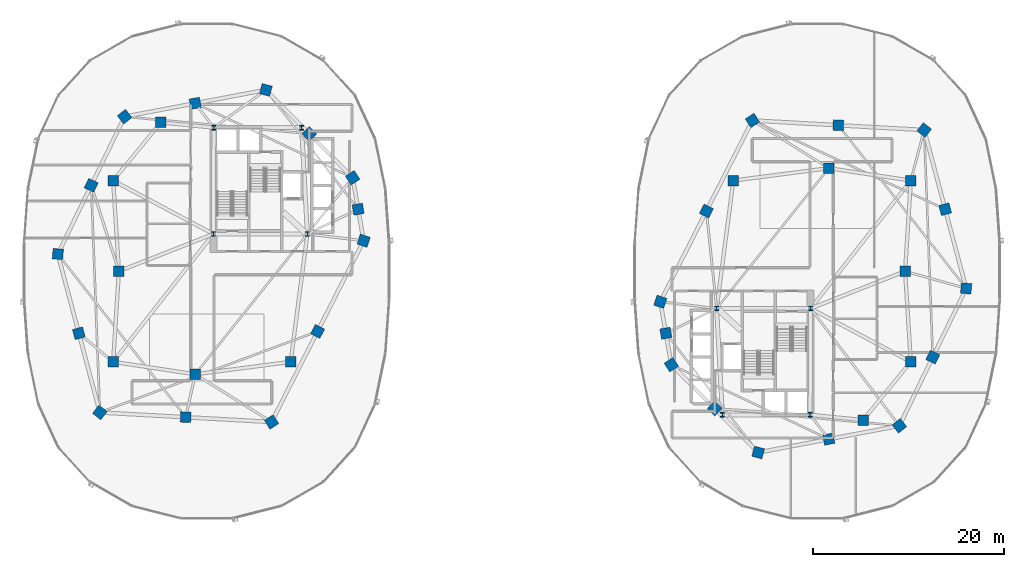
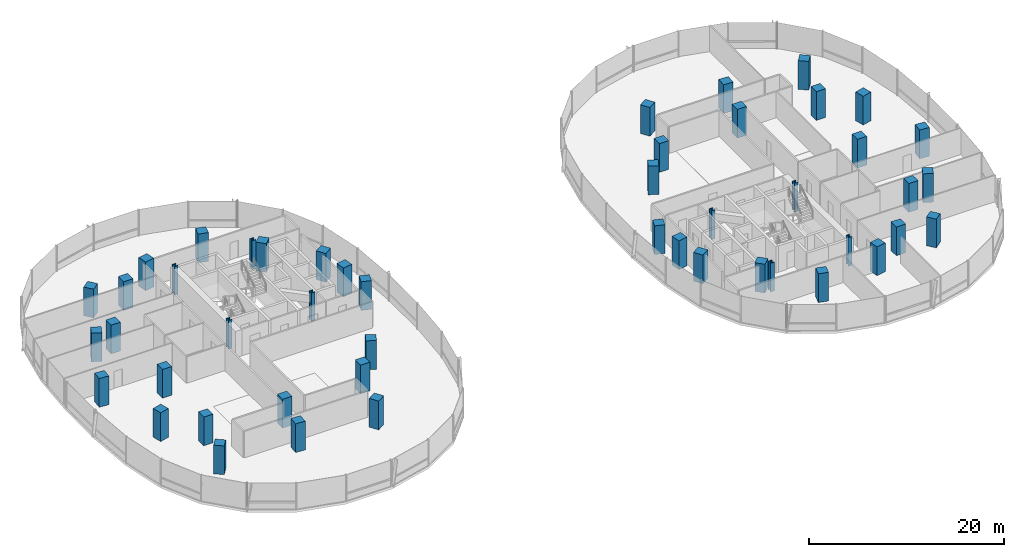
# One storey, part 1 of 21: 48 columns.
"""IFC4 building model written with IfcOpenShell, lengths in metres."""

from ifc_helpers import new_model, si_unit, direction, frame, origin, origin_2d, place, context, subcontext, project, spatial, rectangle, i_section, extrude, material, material_profile, profile_set, type_object, element, save


model = new_model("IFC4")

# Units and contexts
model_context = context("Model", 3, precision=1e-05, world=origin(), true_north=direction((0.0, 1.0)))
body_context = subcontext(model_context, "Body", "Model", "MODEL_VIEW")
ifc_project = project(units=[si_unit("LENGTHUNIT", "METRE"), si_unit("AREAUNIT", "SQUARE_METRE"), si_unit("VOLUMEUNIT", "CUBIC_METRE"), si_unit("PLANEANGLEUNIT", "RADIAN"), si_unit("MASSUNIT", "GRAM", prefix="KILO"), si_unit("THERMODYNAMICTEMPERATUREUNIT", "KELVIN"), si_unit("POWERUNIT", "WATT")], contexts=[model_context])

# Site, building, storey
site_placement = place(None, origin())
site = spatial("IfcSite", under=ifc_project, at=site_placement, CompositionType="ELEMENT")
building_placement = place(site_placement, origin())
building = spatial("IfcBuilding", under=site, at=building_placement, Name="Cundina Bronze Exchange", CompositionType="ELEMENT")
storey_placement = place(building_placement, frame((0.0, 0.0, 81.800048828125)))
storey = spatial("IfcBuildingStorey", under=building, at=storey_placement, Name="L20", CompositionType="ELEMENT", Elevation=81.800048828125)

# Columns
ifc_material_1 = material(Name="Steel ASTM A992 Grade 50", Category="steel")
ifc_material_profile_1 = material_profile(ifc_material_1, i_section(OverallWidth=0.431884765625, OverallDepth=0.498046875, WebThickness=0.0556640625, FlangeThickness=0.0888671875, FilletRadius=0.01806640625, at=origin_2d()), Name="W14X500", Category="steel")
ifc_profile_set_1 = profile_set([ifc_material_profile_1], Name="Steel ASTM A992 Grade 50")
column_type_1 = type_object("IfcColumnType", Name="COL-STL-W14A", PredefinedType="COLUMN", material=ifc_profile_set_1)
for number, where, z_axis, x_axis, name in (
    (1, (-31.300048828125, 3.89990234375, 0.0), (0.0, 0.0, 1.0), (1.0, 0.0, 0.0), "L20 Core Anchor Column W1"),
    (2, (-21.449951171875, 3.89990234375, 0.0), (0.0, 0.0, 1.0), (1.0, 0.0, 0.0), "L20 Core Anchor Column W2"),
    (3, (-22.050048828125, 15.050048828125, 0.0), (0.0, 0.0, 1.0), (1.0, 0.0, 0.0), "L20 Core Anchor Column W3"),
    (4, (-31.25, 15.050048828125, 0.0), (0.0, 0.0, 1.0), (1.0, 0.0, 0.0), "L20 Core Anchor Column W4"),
    (5, (31.300048828125, -3.89990234375, 0.0), (0.0, 0.0, 1.0), (1.0, 0.0, 0.0), "L20 Core Anchor Column E1"),
    (6, (21.449951171875, -3.89990234375, 0.0), (0.0, 0.0, 1.0), (1.0, 0.0, 0.0), "L20 Core Anchor Column E2"),
    (7, (22.050048828125, -15.050048828125, 0.0), (0.0, 0.0, 1.0), (1.0, 0.0, 0.0), "L20 Core Anchor Column E3"),
    (8, (31.25, -15.050048828125, 0.0), (0.0, 0.0, 1.0), (1.0, 0.0, 0.0), "L20 Core Anchor Column E4"),
):
    element("IfcColumn", number, at=place(storey_placement, frame(where, z_axis=z_axis, x_axis=x_axis)), inside=storey, type_object=column_type_1, Name=name, PredefinedType="COLUMN", context=body_context, shape_type="SweptSolid", body=[
        extrude(i_section(OverallWidth=0.431884765625, OverallDepth=0.498046875, WebThickness=0.0556640625, FlangeThickness=0.0888671875, FilletRadius=0.01806640625, at=origin_2d()), origin(), (0.0, 0.0, 1.0), 3.599853515625),
    ])
ifc_material_2 = material(Name="Concrete C60/75", Category="concrete")
ifc_material_profile_2 = material_profile(ifc_material_2, rectangle(XDim=1.10009765625, YDim=1.10009765625, at=origin_2d()), Name="RC1100X1100", Category="concrete")
ifc_profile_set_2 = profile_set([ifc_material_profile_2], Name="Concrete C60/75")
column_type_2 = type_object("IfcColumnType", Name="COL-Z2-1100", PredefinedType="COLUMN", material=ifc_profile_set_2)
for number, where, z_axis, x_axis, name in (
    (9, (-41.199951171875, 0.0, 0.0), (0.0, 0.0, 1.0), (1.0, 0.0, 0.0), "L20 W Inner Ring Column 1"),
    (10, (-41.800048828125, 9.5, 0.0), (0.0, 0.0, 1.0), (1.0, 0.0, 0.0), "L20 W Inner Ring Column 2"),
    (11, (-36.800048828125, 15.60009765625, 0.0), (0.0, 0.0, 1.0), (1.0, 0.0, 0.0), "L20 W Inner Ring Column 3"),
    (12, (-41.800048828125, -9.5, 0.0), (0.0, 0.0, 1.0), (1.0, 0.0, 0.0), "L20 W Inner Ring Column 4"),
    (13, (-33.199951171875, -10.800048828125, 0.0), (0.0, 0.0, 1.0), (1.0, 0.0, 0.0), "L20 W Inner Ring Column 5"),
    (14, (-23.199951171875, -9.5, 0.0), (0.0, 0.0, 1.0), (1.0, 0.0, 0.0), "L20 W Inner Ring Column 6"),
    (15, (41.199951171875, 0.0, 0.0), (0.0, 0.0, 1.0), (1.0, 0.0, 0.0), "L20 E Inner Ring Column 1"),
    (16, (41.800048828125, -9.5, 0.0), (0.0, 0.0, 1.0), (1.0, 0.0, 0.0), "L20 E Inner Ring Column 2"),
    (17, (36.800048828125, -15.60009765625, 0.0), (0.0, 0.0, 1.0), (1.0, 0.0, 0.0), "L20 E Inner Ring Column 3"),
    (18, (41.800048828125, 9.5, 0.0), (0.0, 0.0, 1.0), (1.0, 0.0, 0.0), "L20 E Inner Ring Column 4"),
    (19, (33.199951171875, 10.800048828125, 0.0), (0.0, 0.0, 1.0), (1.0, 0.0, 0.0), "L20 E Inner Ring Column 5"),
    (20, (23.199951171875, 9.5, 0.0), (0.0, 0.0, 1.0), (1.0, 0.0, 0.0), "L20 E Inner Ring Column 6"),
    (21, (-15.550048828125, 3.199951171875, 0.0), (0.0, 0.0, 1.0), (0.315152163383, 0.949041155016, 0.0), "L20 W Perimeter Column 00"),
    (22, (-16.125, 6.5, 0.0), (0.0, 0.0, 1.0), (-0.171585221787, 0.985169280715, 0.0), "L20 W Perimeter Column 01"),
    (23, (-16.699951171875, 9.800048828125, 0.0), (0.0, 0.0, 1.0), (-0.544199833495, 0.838955625301, 0.0), "L20 W Perimeter Column 02"),
    (24, (-21.25, 14.39990234375, 0.0), (0.0, 0.0, 1.0), (-0.703270634186, 0.710922228581, 0.0), "L20 W Perimeter Column 03"),
    (25, (-25.800048828125, 19.0, 0.0), (0.0, 0.0, 1.0), (-0.965970984022, 0.258650455301, 0.0), "L20 W Perimeter Column 04"),
    (26, (-33.199951171875, 17.60009765625, 0.0), (0.0, 0.0, 1.0), (-0.98258037664, -0.185838110843, 0.0), "L20 W Perimeter Column 05"),
    (27, (-40.60009765625, 16.199951171875, 0.0), (0.0, 0.0, 1.0), (-0.785100778485, -0.619368038909, 0.0), "L20 W Perimeter Column 06"),
    (28, (-44.10009765625, 9.0, 0.0), (0.0, 0.0, 1.0), (-0.437115766651, -0.899405251566, 0.0), "L20 W Perimeter Column 07"),
    (29, (-47.60009765625, 1.800048828125, 0.0), (0.0, 0.0, 1.0), (-0.083503921245, -0.996507448611, 0.0), "L20 W Perimeter Column 08"),
    (30, (-45.39990234375, -6.5, 0.0), (0.0, 0.0, 1.0), (0.256289373133, -0.966600102017, 0.0), "L20 W Perimeter Column 09"),
    (31, (-43.199951171875, -14.800048828125, 0.0), (0.0, 0.0, 1.0), (0.786288432137, -0.61785961309, 0.0), "L20 W Perimeter Column 10"),
    (32, (-34.199951171875, -15.300048828125, 0.0), (0.0, 0.0, 1.0), (0.998460188734, -0.055472980025, 0.0), "L20 W Perimeter Column 11"),
    (33, (-25.199951171875, -15.800048828125, 0.0), (0.0, 0.0, 1.0), (0.838099763533, 0.545516989988, 0.0), "L20 W Perimeter Column 12"),
    (34, (-20.375, -6.300048828125, 0.0), (0.0, 0.0, 1.0), (0.452901591366, 0.891560513111, 0.0), "L20 W Perimeter Column 13"),
    (35, (15.550048828125, -3.199951171875, 0.0), (0.0, 0.0, 1.0), (-0.315152163383, -0.949041155016, 0.0), "L20 E Perimeter Column 00"),
    (36, (16.125, -6.5, 0.0), (0.0, 0.0, 1.0), (0.171585221787, -0.985169280715, 0.0), "L20 E Perimeter Column 01"),
    (37, (16.699951171875, -9.800048828125, 0.0), (0.0, 0.0, 1.0), (0.544199833495, -0.838955625301, 0.0), "L20 E Perimeter Column 02"),
    (38, (21.25, -14.39990234375, 0.0), (0.0, 0.0, 1.0), (0.703270634186, -0.710922228581, 0.0), "L20 E Perimeter Column 03"),
    (39, (25.800048828125, -19.0, 0.0), (0.0, 0.0, 1.0), (0.965970984022, -0.258650455301, 0.0), "L20 E Perimeter Column 04"),
    (40, (33.199951171875, -17.60009765625, 0.0), (0.0, 0.0, 1.0), (0.98258037664, 0.185838110843, 0.0), "L20 E Perimeter Column 05"),
    (41, (40.60009765625, -16.199951171875, 0.0), (0.0, 0.0, 1.0), (0.785100778485, 0.619368038909, 0.0), "L20 E Perimeter Column 06"),
    (42, (44.10009765625, -9.0, 0.0), (0.0, 0.0, 1.0), (0.437115766651, 0.899405251566, 0.0), "L20 E Perimeter Column 07"),
    (43, (47.60009765625, -1.800048828125, 0.0), (0.0, 0.0, 1.0), (0.083503921245, 0.996507448611, 0.0), "L20 E Perimeter Column 08"),
    (44, (45.39990234375, 6.5, 0.0), (0.0, 0.0, 1.0), (-0.256289373133, 0.966600102017, 0.0), "L20 E Perimeter Column 09"),
    (45, (43.199951171875, 14.800048828125, 0.0), (0.0, 0.0, 1.0), (-0.786288432137, 0.61785961309, 0.0), "L20 E Perimeter Column 10"),
    (46, (34.199951171875, 15.300048828125, 0.0), (0.0, 0.0, 1.0), (-0.998460188734, 0.055472980025, 0.0), "L20 E Perimeter Column 11"),
    (47, (25.199951171875, 15.800048828125, 0.0), (0.0, 0.0, 1.0), (-0.838099763533, -0.545516989988, 0.0), "L20 E Perimeter Column 12"),
    (48, (20.375, 6.300048828125, 0.0), (0.0, 0.0, 1.0), (-0.452901591366, -0.891560513111, 0.0), "L20 E Perimeter Column 13"),
):
    element("IfcColumn", number, at=place(storey_placement, frame(where, z_axis=z_axis, x_axis=x_axis)), inside=storey, type_object=column_type_2, Name=name, PredefinedType="COLUMN", context=body_context, shape_type="SweptSolid", body=[
        extrude(rectangle(XDim=1.10009765625, YDim=1.10009765625, at=origin_2d()), origin(), (0.0, 0.0, 1.0), 3.599853515625),
    ])

save(model, "model.ifc")
